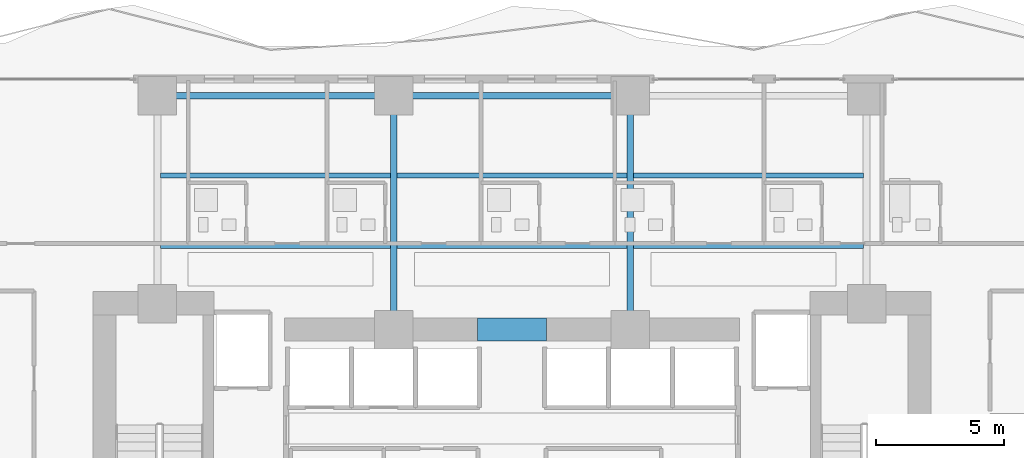
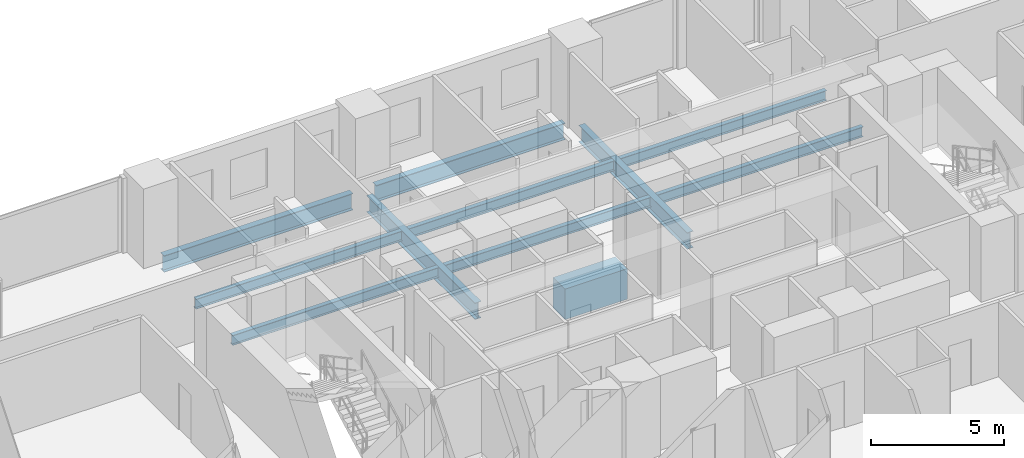
# One storey, part 14 of 28: 11 beams.
"""IFC4 building model written with IfcOpenShell, lengths in metres."""

from ifc_helpers import new_model, si_unit, direction, frame, origin, origin_2d, place, context, subcontext, project, spatial, rectangle, i_section, extrude, material, material_profile, profile_set, type_object, element, save


model = new_model("IFC4")

# Units and contexts
model_context = context("Model", 3, precision=1e-05, world=origin(), true_north=direction((0.0, 1.0)))
body_context = subcontext(model_context, "Body", "Model", "MODEL_VIEW")
ifc_project = project(units=[si_unit("LENGTHUNIT", "METRE"), si_unit("AREAUNIT", "SQUARE_METRE"), si_unit("VOLUMEUNIT", "CUBIC_METRE"), si_unit("PLANEANGLEUNIT", "RADIAN"), si_unit("MASSUNIT", "GRAM", prefix="KILO")], contexts=[model_context])

# Site, building, storey
site_placement = place(None, origin())
site = spatial("IfcSite", under=ifc_project, at=site_placement, CompositionType="ELEMENT")
building_placement = place(site_placement, origin())
building = spatial("IfcBuilding", under=site, at=building_placement, Name="Zuhayl Quay Hotel", CompositionType="ELEMENT")
storey_placement = place(building_placement, frame((0.0, 0.0, 34.89990234375)))
storey = spatial("IfcBuildingStorey", under=building, at=storey_placement, Name="L07", CompositionType="ELEMENT", Elevation=34.89990234375)

# Beams
ifc_material_1 = material(Name="Steel ASTM A992 Grade 50", Category="steel")
ifc_material_profile_1 = material_profile(ifc_material_1, i_section(OverallWidth=0.26708984375, OverallDepth=0.761962890625, WebThickness=0.014404296875, FlangeThickness=0.021484375, at=origin_2d()), Name="W30X116")
ifc_profile_set_1 = profile_set([ifc_material_profile_1], Name="Steel ASTM A992 Grade 50")
beam_type_1 = type_object("IfcBeamType", Name="BM_B1_W30X116", PredefinedType="BEAM", material=ifc_profile_set_1)
beam_1_placement = place(storey_placement, frame((4.10009765625, 22.449951171875, -0.600830078125), z_axis=(-1.0, 0.0, 0.0), x_axis=(0.0, -1.0, 0.0)))
element("IfcBeam", 1, at=beam_1_placement, inside=storey, type_object=beam_type_1, Name="L07 Floor Beam RG_L07_08", PredefinedType="BEAM", context=body_context, shape_type="SweptSolid", body=[
    extrude(i_section(OverallWidth=0.26708984375, OverallDepth=0.761962890625, WebThickness=0.014404296875, FlangeThickness=0.021484375, at=origin_2d()), origin(), (0.0, 0.0, 1.0), 8.2001953125),
])
beam_2_placement = place(storey_placement, frame((-5.10009765625, 22.449951171875, -0.600830078125), z_axis=(-1.0, 0.0, 0.0), x_axis=(0.0, -1.0, 0.0)))
element("IfcBeam", 2, at=beam_2_placement, inside=storey, type_object=beam_type_1, Name="L07 Floor Beam RG_L07_09", PredefinedType="BEAM", context=body_context, shape_type="SweptSolid", body=[
    extrude(i_section(OverallWidth=0.26708984375, OverallDepth=0.761962890625, WebThickness=0.014404296875, FlangeThickness=0.021484375, at=origin_2d()), origin(), (0.0, 0.0, 1.0), 8.199951171875),
])
for number, where, z_axis, x_axis, name in (
    (3, (-4.60009765625, 13.800048828125, -0.600830078125), (0.0, 1.0, 0.0), (-1.0, 0.0, 0.0), "L07 Floor Beam FG_N_L07_2"),
    (4, (4.60009765625, 13.800048828125, -0.600830078125), (0.0, 1.0, 0.0), (-1.0, 0.0, 0.0), "L07 Floor Beam FG_N_L07_3"),
):
    element("IfcBeam", number, at=place(storey_placement, frame(where, z_axis=z_axis, x_axis=x_axis)), inside=storey, type_object=beam_type_1, Name=name, PredefinedType="BEAM", context=body_context, shape_type="SweptSolid", body=[
        extrude(i_section(OverallWidth=0.26708984375, OverallDepth=0.761962890625, WebThickness=0.014404296875, FlangeThickness=0.021484375, at=origin_2d()), origin(), (0.0, 0.0, 1.0), 8.14990234375),
    ])
ifc_material_2 = material(Name="Concrete C60/75", Category="concrete")
ifc_material_profile_2 = material_profile(ifc_material_2, rectangle(XDim=0.89990234375, YDim=1.39990234375, at=origin_2d()), Name="RC900X1400")
ifc_profile_set_2 = profile_set([ifc_material_profile_2], Name="Concrete C60/75")
beam_type_2 = type_object("IfcBeamType", Name="BM_CB1_RC900", PredefinedType="T_BEAM", material=ifc_profile_set_2)
beam_3_placement = place(storey_placement, frame((-1.35009765625, 13.35009765625, -0.919921875), z_axis=(1.0, 0.0, 0.0), x_axis=(0.0, 1.0, 0.0)))
element("IfcBeam", 5, at=beam_3_placement, inside=storey, type_object=beam_type_2, Name="L07 Core Coupling Beam North", PredefinedType="T_BEAM", context=body_context, shape_type="SweptSolid", body=[
    extrude(rectangle(XDim=0.89990234375, YDim=1.39990234375, at=origin_2d()), origin(), (0.0, 0.0, 1.0), 2.7001953125),
])
ifc_material_profile_3 = material_profile(ifc_material_1, i_section(OverallWidth=0.18994140625, OverallDepth=0.45703125, WebThickness=0.009033203125, FlangeThickness=0.014404296875, at=origin_2d()), Name="W18X50")
ifc_profile_set_3 = profile_set([ifc_material_profile_3], Name="Steel ASTM A992 Grade 50")
beam_type_3 = type_object("IfcBeamType", Name="BM_J2_W18X50", PredefinedType="JOIST", material=ifc_profile_set_3)
beam_4_placement = place(storey_placement, frame((-13.674560546875, 16.60009765625, -0.448486328125), z_axis=(1.0, 0.0, 0.0), x_axis=(0.0, 1.0, 0.0)))
element("IfcBeam", 6, at=beam_4_placement, inside=storey, type_object=beam_type_3, Name="L07 Floor Beam FJ_L07_1_1", PredefinedType="JOIST", context=body_context, shape_type="SweptSolid", body=[
    extrude(i_section(OverallWidth=0.18994140625, OverallDepth=0.45703125, WebThickness=0.009033203125, FlangeThickness=0.014404296875, at=origin_2d()), origin(), (0.0, 0.0, 1.0), 8.948974609375),
])
beam_5_placement = place(storey_placement, frame((-4.474609375, 16.60009765625, -0.448486328125), z_axis=(1.0, 0.0, 0.0), x_axis=(0.0, 1.0, 0.0)))
element("IfcBeam", 7, at=beam_5_placement, inside=storey, type_object=beam_type_3, Name="L07 Floor Beam FJ_L07_1_2", PredefinedType="JOIST", context=body_context, shape_type="SweptSolid", body=[
    extrude(i_section(OverallWidth=0.18994140625, OverallDepth=0.45703125, WebThickness=0.009033203125, FlangeThickness=0.014404296875, at=origin_2d()), origin(), (0.0, 0.0, 1.0), 8.94921875),
])
for number, where, z_axis, x_axis, name in (
    (8, (4.7255859375, 16.60009765625, -0.448486328125), (1.0, 0.0, 0.0), (0.0, 1.0, 0.0), "L07 Floor Beam FJ_L07_1_3"),
    (9, (-13.674560546875, 19.35009765625, -0.448486328125), (1.0, 0.0, 0.0), (0.0, 1.0, 0.0), "L07 Floor Beam FJ_L07_2_1"),
):
    element("IfcBeam", number, at=place(storey_placement, frame(where, z_axis=z_axis, x_axis=x_axis)), inside=storey, type_object=beam_type_3, Name=name, PredefinedType="JOIST", context=body_context, shape_type="SweptSolid", body=[
        extrude(i_section(OverallWidth=0.18994140625, OverallDepth=0.45703125, WebThickness=0.009033203125, FlangeThickness=0.014404296875, at=origin_2d()), origin(), (0.0, 0.0, 1.0), 8.948974609375),
    ])
beam_6_placement = place(storey_placement, frame((-4.474609375, 19.35009765625, -0.448486328125), z_axis=(1.0, 0.0, 0.0), x_axis=(0.0, 1.0, 0.0)))
element("IfcBeam", 10, at=beam_6_placement, inside=storey, type_object=beam_type_3, Name="L07 Floor Beam FJ_L07_2_2", PredefinedType="JOIST", context=body_context, shape_type="SweptSolid", body=[
    extrude(i_section(OverallWidth=0.18994140625, OverallDepth=0.45703125, WebThickness=0.009033203125, FlangeThickness=0.014404296875, at=origin_2d()), origin(), (0.0, 0.0, 1.0), 8.94921875),
])
beam_7_placement = place(storey_placement, frame((4.7255859375, 19.35009765625, -0.448486328125), z_axis=(1.0, 0.0, 0.0), x_axis=(0.0, 1.0, 0.0)))
element("IfcBeam", 11, at=beam_7_placement, inside=storey, type_object=beam_type_3, Name="L07 Floor Beam FJ_L07_2_3", PredefinedType="JOIST", context=body_context, shape_type="SweptSolid", body=[
    extrude(i_section(OverallWidth=0.18994140625, OverallDepth=0.45703125, WebThickness=0.009033203125, FlangeThickness=0.014404296875, at=origin_2d()), origin(), (0.0, 0.0, 1.0), 8.948974609375),
])

save(model, "model.ifc")
